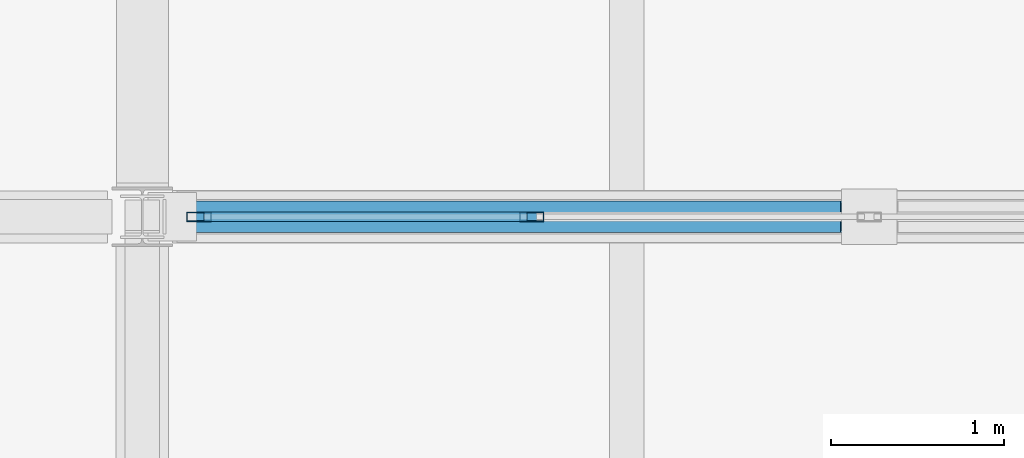
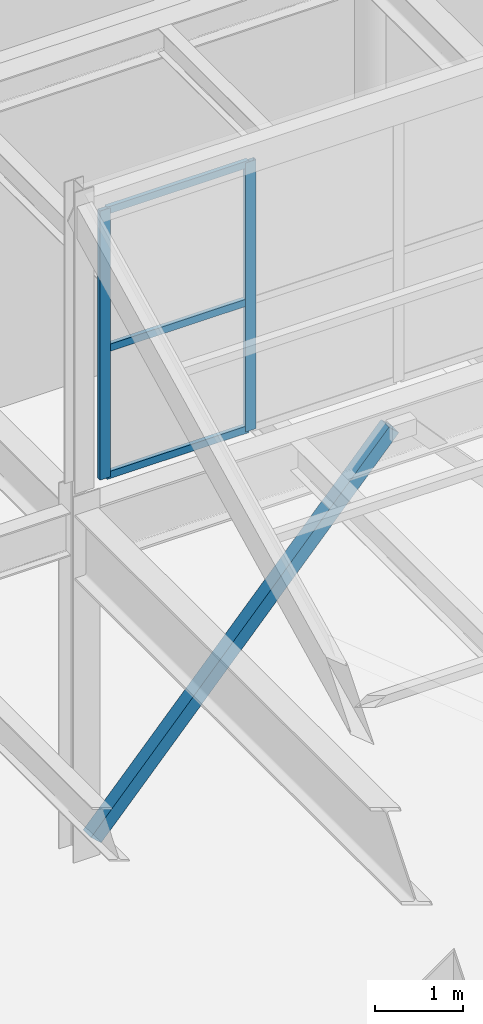
# One storey, part 32 of 91: 6 members, 1 element without a shape of its own.
"""IFC4 building model written with IfcOpenShell, lengths in metres."""

from ifc_helpers import new_model, si_unit, direction, frame, origin, origin_2d, place, context, subcontext, project, spatial, hollow_rectangle, extrude, material, layer, layer_set, material_profile, profile_set, type_object, element, aggregate, save


model = new_model("IFC4")

# Units and contexts
model_context = context("Model", 3, precision=1e-05, world=origin(), true_north=direction((0.0, 1.0)))
body_context = subcontext(model_context, "Body", "Model", "MODEL_VIEW")
ifc_project = project(units=[si_unit("LENGTHUNIT", "METRE"), si_unit("AREAUNIT", "SQUARE_METRE"), si_unit("VOLUMEUNIT", "CUBIC_METRE"), si_unit("PLANEANGLEUNIT", "RADIAN"), si_unit("MASSUNIT", "GRAM", prefix="KILO"), si_unit("THERMODYNAMICTEMPERATUREUNIT", "KELVIN")], contexts=[model_context])

# Site, building, storey
site_placement = place(None, origin())
site = spatial("IfcSite", under=ifc_project, at=site_placement, CompositionType="ELEMENT")
building_placement = place(site_placement, origin())
building = spatial("IfcBuilding", under=site, at=building_placement, Name="Lustrewick Department Store", CompositionType="ELEMENT")
storey_placement = place(building_placement, frame((0.0, 0.0, 21.60009765625)))
storey = spatial("IfcBuildingStorey", under=building, at=storey_placement, Name="L05", CompositionType="ELEMENT", Elevation=21.60009765625)

# Member
ifc_material_1 = material(Name="Structural steel Q355B", Category="steel")
ifc_material_profile_1 = material_profile(ifc_material_1, hollow_rectangle(XDim=0.179931640625, YDim=0.179931640625, WallThickness=0.008056640625, at=origin_2d()), Name="SHS 180x180x8")
ifc_profile_set_1 = profile_set([ifc_material_profile_1], Name="Structural steel Q355B")
member_type_1 = type_object("IfcMemberType", Name="BR10", PredefinedType="BRACE", material=ifc_profile_set_1)
member_1_placement = place(storey_placement, frame((126.172119140625, 42.0, 0.14990234375), z_axis=(0.670614222586, 0.0, 0.741806285), x_axis=(0.0, 1.0, 0.0)))
element("IfcMember", 1, at=member_1_placement, inside=storey, type_object=member_type_1, Name="L05 V3 Chevron Brace BR10", PredefinedType="BRACE", context=body_context, shape_type="SweptSolid", body=[
    extrude(hollow_rectangle(XDim=0.179931640625, YDim=0.179931640625, WallThickness=0.008056640625, at=origin_2d()), origin(), (0.0, 0.0, 1.0), 5.857177734375),
])

# Curtain wall, members
ifc_material_2 = material(Name="Thermally broken aluminium 6063-T5", Category="aluminium")
ifc_layer = layer(ifc_material_2, 0.139892578125, Name="Thermally broken aluminium 6063-T5")
ifc_layer_set = layer_set([ifc_layer], Name="Thermally broken aluminium 6063-T5")
curtain_wall_type = type_object("IfcCurtainWallType", Name="CW15", PredefinedType="NOTDEFINED", material=ifc_layer_set)
curtain_wall_placement = place(storey_placement, origin())
curtain_wall = element("IfcCurtainWall", 2, at=curtain_wall_placement, inside=storey, type_object=curtain_wall_type, Name="L05 North-Light Clerestory CW15", PredefinedType="NOTDEFINED")
ifc_material_profile_2 = material_profile(ifc_material_2, hollow_rectangle(XDim=0.054931640625, YDim=0.139892578125, WallThickness=0.00341796875, at=origin_2d()), Name="ALU-M 55x140x3.5")
ifc_profile_set_2 = profile_set([ifc_material_profile_2], Name="Thermally broken aluminium 6063-T5")
member_type_2 = type_object("IfcMemberType", Name="CW15-M1", PredefinedType="MULLION", material=ifc_profile_set_2)
member_2_placement = place(storey_placement, frame((126.327392578125, 42.0, 5.099853515625), z_axis=(0.0, 0.0, 1.0), x_axis=(0.0, 1.0, 0.0)))
member_2 = element("IfcMember", 3, at=member_2_placement, type_object=member_type_2, Name="CW15 mullion 1", PredefinedType="MULLION", context=body_context, shape_type="SweptSolid", body=[
    extrude(hollow_rectangle(XDim=0.054931640625, YDim=0.139892578125, WallThickness=0.00341796875, at=origin_2d()), origin(), (0.0, 0.0, 1.0), 3.75),
])
member_3_placement = place(storey_placement, frame((128.25, 42.0, 5.099853515625), z_axis=(0.0, 0.0, 1.0), x_axis=(0.0, 1.0, 0.0)))
member_3 = element("IfcMember", 4, at=member_3_placement, type_object=member_type_2, Name="CW15 mullion 2", PredefinedType="MULLION", context=body_context, shape_type="SweptSolid", body=[
    extrude(hollow_rectangle(XDim=0.054931640625, YDim=0.139892578125, WallThickness=0.00341796875, at=origin_2d()), origin(), (0.0, 0.0, 1.0), 3.75),
])
ifc_material_profile_3 = material_profile(ifc_material_2, hollow_rectangle(XDim=0.054931640625, YDim=0.10009765625, WallThickness=0.0029296875, at=origin_2d()), Name="ALU-T 55x100x3")
ifc_profile_set_3 = profile_set([ifc_material_profile_3], Name="Thermally broken aluminium 6063-T5")
member_type_3 = type_object("IfcMemberType", Name="CW15-T1", PredefinedType="USERDEFINED", material=ifc_profile_set_3)
member_4_placement = place(storey_placement, frame((126.35498046875, 42.0, 5.12744140625), z_axis=(1.0, 0.0, 0.0), x_axis=(0.0, 1.0, 0.0)))
member_4 = element("IfcMember", 5, at=member_4_placement, type_object=member_type_3, Name="CW15 transom 1.1", ObjectType="TRANSOM", PredefinedType="USERDEFINED", context=body_context, shape_type="SweptSolid", body=[
    extrude(hollow_rectangle(XDim=0.054931640625, YDim=0.10009765625, WallThickness=0.0029296875, at=origin_2d()), origin(), (0.0, 0.0, 1.0), 1.867431640625),
])
member_5_placement = place(storey_placement, frame((126.35498046875, 42.0, 6.89990234375), z_axis=(1.0, 0.0, 0.0), x_axis=(0.0, 1.0, 0.0)))
member_5 = element("IfcMember", 6, at=member_5_placement, type_object=member_type_3, Name="CW15 transom 1.2", ObjectType="TRANSOM", PredefinedType="USERDEFINED", context=body_context, shape_type="SweptSolid", body=[
    extrude(hollow_rectangle(XDim=0.054931640625, YDim=0.10009765625, WallThickness=0.0029296875, at=origin_2d()), origin(), (0.0, 0.0, 1.0), 1.867431640625),
])
member_6_placement = place(storey_placement, frame((126.35498046875, 42.0, 8.822509765625), z_axis=(1.0, 0.0, 0.0), x_axis=(0.0, 1.0, 0.0)))
member_6 = element("IfcMember", 7, at=member_6_placement, type_object=member_type_3, Name="CW15 transom 1.3", ObjectType="TRANSOM", PredefinedType="USERDEFINED", context=body_context, shape_type="SweptSolid", body=[
    extrude(hollow_rectangle(XDim=0.054931640625, YDim=0.10009765625, WallThickness=0.0029296875, at=origin_2d()), origin(), (0.0, 0.0, 1.0), 1.867431640625),
])
aggregate(curtain_wall, [member_2, member_3, member_4, member_5, member_6])

save(model, "model.ifc")
